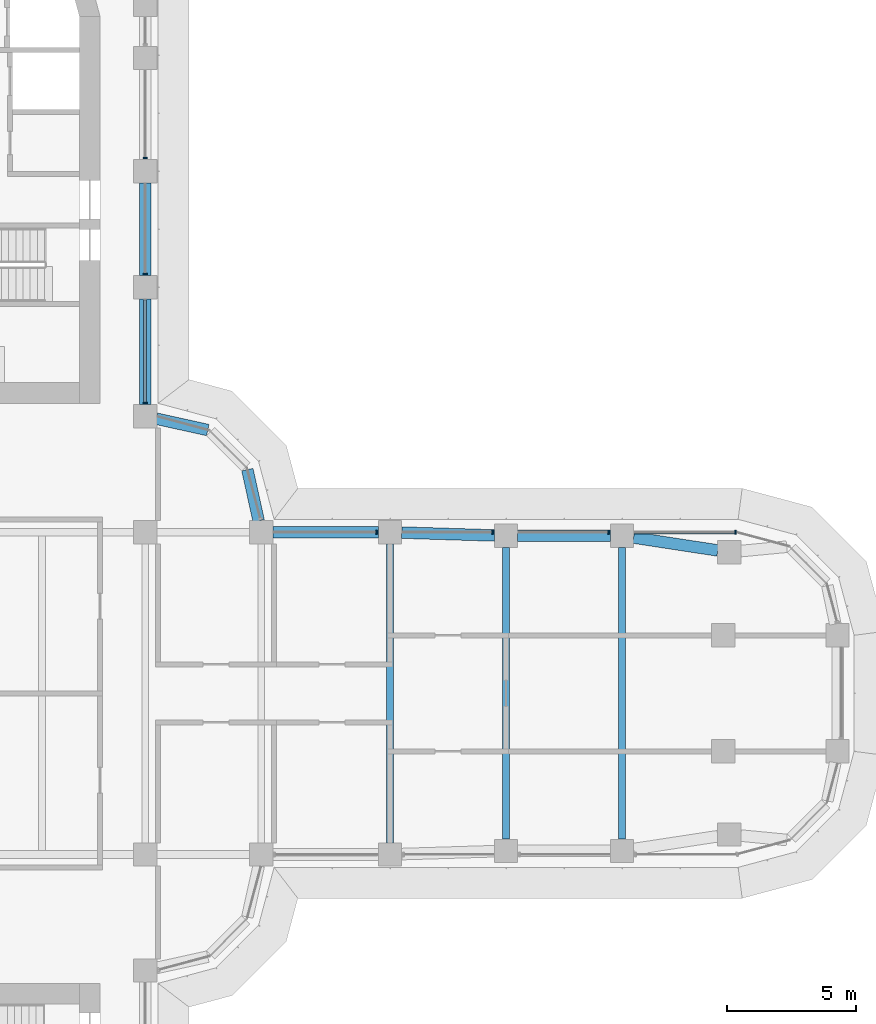
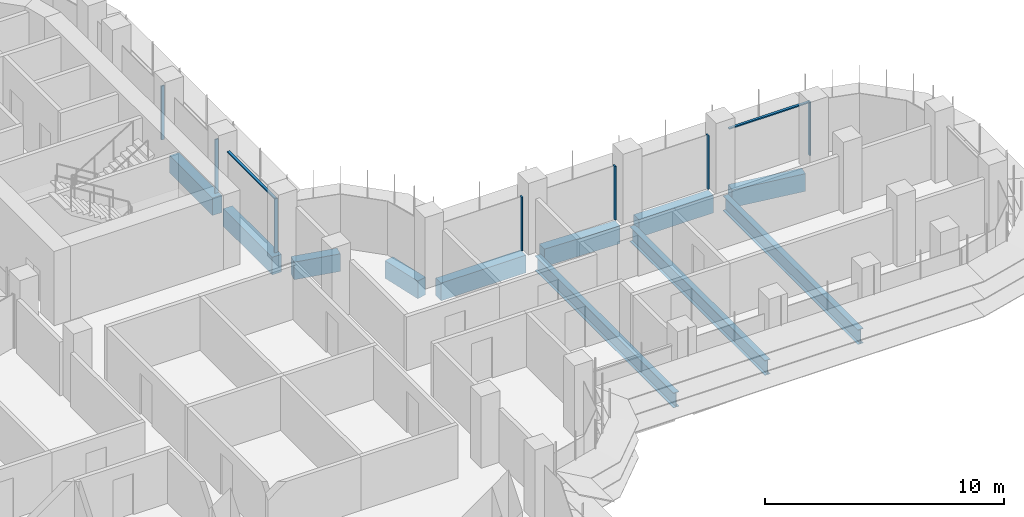
# One storey, part 8 of 22: 11 beams, 9 members, 2 elements without a shape of their own.
"""IFC4 building model written with IfcOpenShell, lengths in metres."""

from ifc_helpers import new_model, si_unit, direction, frame, origin, origin_2d, place, context, subcontext, project, spatial, polyline, rectangle, i_section, outline, extrude, source, transform, mapped, material, material_profile, profile_set, type_object, element, aggregate, save


model = new_model("IFC4")

# Units and contexts
model_context = context("Model", 3, precision=1e-05, world=origin(), true_north=direction((0.0, 1.0)))
body_context = subcontext(model_context, "Body", "Model", "MODEL_VIEW")
ifc_project = project(units=[si_unit("LENGTHUNIT", "METRE"), si_unit("AREAUNIT", "SQUARE_METRE"), si_unit("VOLUMEUNIT", "CUBIC_METRE"), si_unit("PLANEANGLEUNIT", "RADIAN"), si_unit("MASSUNIT", "GRAM", prefix="KILO")], contexts=[model_context])

# Site, building, storey
site_placement = place(None, origin())
site = spatial("IfcSite", under=ifc_project, at=site_placement, CompositionType="ELEMENT")
building_placement = place(site_placement, origin())
building = spatial("IfcBuilding", under=site, at=building_placement, Name="Zarbagh Exchange Tower", CompositionType="ELEMENT")
storey_placement = place(building_placement, frame((0.0, 0.0, 113.199951171875)))
storey = spatial("IfcBuildingStorey", under=building, at=storey_placement, Name="L26", CompositionType="ELEMENT", Elevation=113.199951171875)

# Beams
ifc_material_1 = material(Name="Steel ASTM A992 Gr 50", Category="steel")
ifc_material_profile_1 = material_profile(ifc_material_1, i_section(OverallWidth=0.2666015625, OverallDepth=0.7568359375, WebThickness=0.013916015625, FlangeThickness=0.019287109375, at=origin_2d()), Name="W30X108")
ifc_profile_set_1 = profile_set([ifc_material_profile_1], Name="Steel ASTM A992 Gr 50")
beam_type_1 = type_object("IfcBeamType", Name="Floor beam W30X108", PredefinedType="BEAM", material=ifc_profile_set_1)
beam_1_placement = place(storey_placement, frame((15.75, -5.800048828125, -0.5283203125), z_axis=(0.0, 1.0, 0.0), x_axis=(-1.0, 0.0, 0.0)))
element("IfcBeam", 1, at=beam_1_placement, inside=storey, type_object=beam_type_1, Name="Steel floor beam", PredefinedType="BEAM", context=body_context, shape_type="SweptSolid", body=[
    extrude(i_section(OverallWidth=0.2666015625, OverallDepth=0.7568359375, WebThickness=0.013916015625, FlangeThickness=0.019287109375, at=origin_2d()), origin(), (0.0, 0.0, 1.0), 11.60009765625),
])
for number, where, z_axis, x_axis, name in (
    (2, (20.25, -5.659912109375, -0.5283203125), (0.0, 1.0, 0.0), (-1.0, 0.0, 0.0), "Steel floor beam"),
    (3, (24.75, -5.659912109375, -0.5283203125), (0.0, 1.0, 0.0), (-1.0, 0.0, 0.0), "Steel floor beam"),
):
    element("IfcBeam", number, at=place(storey_placement, frame(where, z_axis=z_axis, x_axis=x_axis)), inside=storey, type_object=beam_type_1, Name=name, PredefinedType="BEAM", context=body_context, shape_type="SweptSolid", body=[
        extrude(i_section(OverallWidth=0.2666015625, OverallDepth=0.7568359375, WebThickness=0.013916015625, FlangeThickness=0.019287109375, at=origin_2d()), origin(), (0.0, 0.0, 1.0), 11.31982421875),
    ])
ifc_material_2 = material(Name="Concrete C60/75", Category="concrete")
ifc_material_profile_2 = material_profile(ifc_material_2, rectangle(XDim=0.449951171875, YDim=0.89990234375, at=origin_2d()), Name="RC spandrel beam 450 x 900 C60/75")
ifc_profile_set_2 = profile_set([ifc_material_profile_2], Name="Concrete C60/75")
beam_type_2 = type_object("IfcBeamType", Name="RC spandrel beam 450 x 900 C60/75", PredefinedType="SPANDREL", material=ifc_profile_set_2)
beam_2_placement = place(storey_placement, frame((6.25, 19.800048828125, -0.599853515625), z_axis=(0.0, -1.0, 0.0), x_axis=(1.0, 0.0, 0.0)))
element("IfcBeam", 4, at=beam_2_placement, inside=storey, type_object=beam_type_2, Name="RC spandrel beam", PredefinedType="SPANDREL", context=body_context, shape_type="SweptSolid", body=[
    extrude(rectangle(XDim=0.449951171875, YDim=0.89990234375, at=origin_2d()), origin(), (0.0, 0.0, 1.0), 3.60009765625),
])
beam_3_placement = place(storey_placement, frame((6.25, 15.300048828125, -0.599853515625), z_axis=(0.0, -1.0, 0.0), x_axis=(1.0, 0.0, 0.0)))
element("IfcBeam", 5, at=beam_3_placement, inside=storey, type_object=beam_type_2, Name="RC spandrel beam", PredefinedType="SPANDREL", context=body_context, shape_type="SweptSolid", body=[
    extrude(rectangle(XDim=0.449951171875, YDim=0.89990234375, at=origin_2d()), origin(), (0.0, 0.0, 1.0), 4.10009765625),
])
for number, where, z_axis, x_axis, name in (
    (6, (6.689453125, 10.65283203125, -0.599853515625), (0.976367325525, -0.216117666208, 0.0), (0.216117666208, 0.976367325525, 0.0), "RC spandrel beam"),
    (7, (10.212890625, 8.677001953125, -0.599853515625), (0.216117666208, -0.976367325525, 0.0), (0.976367325525, 0.216117666208, 0.0), "RC spandrel beam"),
):
    element("IfcBeam", number, at=place(storey_placement, frame(where, z_axis=z_axis, x_axis=x_axis)), inside=storey, type_object=beam_type_2, Name=name, PredefinedType="SPANDREL", context=body_context, shape_type="SweptSolid", body=[
        extrude(rectangle(XDim=0.449951171875, YDim=0.89990234375, at=origin_2d()), origin(), (0.0, 0.0, 1.0), 2.03564453125),
    ])
beam_4_placement = place(storey_placement, frame((11.199951171875, 6.25, -0.599853515625), z_axis=(1.0, 0.0, 0.0), x_axis=(0.0, 1.0, 0.0)))
element("IfcBeam", 8, at=beam_4_placement, inside=storey, type_object=beam_type_2, Name="RC spandrel beam", PredefinedType="SPANDREL", context=body_context, shape_type="SweptSolid", body=[
    extrude(rectangle(XDim=0.449951171875, YDim=0.89990234375, at=origin_2d()), origin(), (0.0, 0.0, 1.0), 4.10009765625),
])
beam_5_placement = place(storey_placement, frame((16.19970703125, 6.236083984375, -0.599853515625), z_axis=(0.999516035224, -0.031107801747, 0.0), x_axis=(0.031107801747, 0.999516035224, 0.0)))
element("IfcBeam", 9, at=beam_5_placement, inside=storey, type_object=beam_type_2, Name="RC spandrel beam", PredefinedType="SPANDREL", context=body_context, shape_type="SweptSolid", body=[
    extrude(rectangle(XDim=0.449951171875, YDim=0.89990234375, at=origin_2d()), origin(), (0.0, 0.0, 1.0), 3.602294921875),
])
beam_6_placement = place(storey_placement, frame((20.699951171875, 6.110107421875, -0.599853515625), z_axis=(1.0, 0.0, 0.0), x_axis=(0.0, 1.0, 0.0)))
element("IfcBeam", 10, at=beam_6_placement, inside=storey, type_object=beam_type_2, Name="RC spandrel beam", PredefinedType="SPANDREL", context=body_context, shape_type="SweptSolid", body=[
    extrude(rectangle(XDim=0.449951171875, YDim=0.89990234375, at=origin_2d()), origin(), (0.0, 0.0, 1.0), 3.60009765625),
])
beam_7_placement = place(storey_placement, frame((25.19482421875, 6.0419921875, -0.599853515625), z_axis=(0.988543505948, -0.150936201252, 0.0), x_axis=(0.150936201252, 0.988543505948, 0.0)))
element("IfcBeam", 11, at=beam_7_placement, inside=storey, type_object=beam_type_2, Name="RC spandrel beam", PredefinedType="SPANDREL", context=body_context, shape_type="SweptSolid", body=[
    extrude(rectangle(XDim=0.449951171875, YDim=0.89990234375, at=origin_2d()), origin(), (0.0, 0.0, 1.0), 3.30615234375),
])

# Curtain wall, members
ifc_material_3 = material(Name="Anodised aluminium frame and glazing", Category="aluminium")
curtain_wall_type = type_object("IfcCurtainWallType", Name="CWA Ribbon glazing, lower zones", PredefinedType="NOTDEFINED", material=ifc_material_3)
curtain_wall_1_placement = place(storey_placement, origin())
curtain_wall_1 = element("IfcCurtainWall", 12, at=curtain_wall_1_placement, inside=storey, type_object=curtain_wall_type, Name="CWA16 curtain wall", PredefinedType="NOTDEFINED")
ifc_material_4 = material(Name="Anodised aluminium frame", Category="aluminium")
member_type_1 = type_object("IfcMemberType", Name="MUA Mullion, anodised aluminium frame", PredefinedType="MULLION", material=ifc_material_4)
shared_shape_1 = source(origin(), body_context, "Body", "SweptSolid", [
    extrude(outline(polyline([(0.0, -0.080078125), (0.06005859375, -0.080078125), (0.06005859375, 0.080078125), (0.0, 0.080078125), (0.0, -0.080078125)])), origin(), (0.0, 0.0, 1.0), 2.75),
])
placement = place(storey_placement, origin())
member_1 = element("IfcMember", 13, at=placement, type_object=member_type_1, Name="CWA16 mullion 1.1", PredefinedType="MULLION", context=body_context, shape_type="MappedRepresentation", body=[
    mapped(shared_shape_1, transform((29.18408203125, 6.25, 0.0), x_axis=(-1.0, 0.0, 0.0), y_axis=(0.0, -1.0, 0.0), z_axis=(0.0, 0.0, 1.0))),
])
member_2 = element("IfcMember", 14, at=placement, type_object=member_type_1, Name="CWA16 mullion 2.1", PredefinedType="MULLION", context=body_context, shape_type="MappedRepresentation", body=[
    mapped(shared_shape_1, transform((24.260009765625, 6.25, 0.0), x_axis=(-1.0, 0.0, 0.0), y_axis=(0.0, -1.0, 0.0), z_axis=(0.0, 0.0, 1.0))),
])
member_3 = element("IfcMember", 15, at=placement, type_object=member_type_1, Name="CWA16 mullion 3.1", PredefinedType="MULLION", context=body_context, shape_type="MappedRepresentation", body=[
    mapped(shared_shape_1, transform((19.760009765625, 6.25, 0.0), x_axis=(-1.0, 0.0, 0.0), y_axis=(0.0, -1.0, 0.0), z_axis=(0.0, 0.0, 1.0))),
])
member_4 = element("IfcMember", 16, at=placement, type_object=member_type_1, Name="CWA16 mullion 4.1", PredefinedType="MULLION", context=body_context, shape_type="MappedRepresentation", body=[
    mapped(shared_shape_1, transform((15.260009765625, 6.25, 0.0), x_axis=(-1.0, 0.0, 0.0), y_axis=(0.0, -1.0, 0.0), z_axis=(0.0, 0.0, 1.0))),
])

curtain_wall_2_placement = place(storey_placement, origin())
curtain_wall_2 = element("IfcCurtainWall", 17, at=curtain_wall_2_placement, inside=storey, type_object=curtain_wall_type, Name="CWA49 curtain wall", PredefinedType="NOTDEFINED")
member_5 = element("IfcMember", 18, at=placement, type_object=member_type_1, Name="CWA49 mullion 1.1", PredefinedType="MULLION", context=body_context, shape_type="MappedRepresentation", body=[
    mapped(shared_shape_1, transform((6.25, 11.239990234375, 0.0), x_axis=(0.0, 1.0, 0.0), y_axis=(-1.0, 0.0, 0.0), z_axis=(0.0, 0.0, 1.0))),
])
member_6 = element("IfcMember", 19, at=placement, type_object=member_type_1, Name="CWA49 mullion 2.1", PredefinedType="MULLION", context=body_context, shape_type="MappedRepresentation", body=[
    mapped(shared_shape_1, transform((6.25, 16.239990234375, 0.0), x_axis=(0.0, 1.0, 0.0), y_axis=(-1.0, 0.0, 0.0), z_axis=(0.0, 0.0, 1.0))),
])
member_7 = element("IfcMember", 20, at=placement, type_object=member_type_1, Name="CWA49 mullion 3.1", PredefinedType="MULLION", context=body_context, shape_type="MappedRepresentation", body=[
    mapped(shared_shape_1, transform((6.25, 20.739990234375, 0.0), x_axis=(0.0, 1.0, 0.0), y_axis=(-1.0, 0.0, 0.0), z_axis=(0.0, 0.0, 1.0))),
])
member_type_2 = type_object("IfcMemberType", Name="TRA Transom, anodised aluminium frame", PredefinedType="USERDEFINED", material=ifc_material_4)
shared_shape_2 = source(origin(), body_context, "Body", "SweptSolid", [
    extrude(outline(polyline([(-0.06005859375, -0.06005859375), (0.0, -0.06005859375), (0.0, 0.06005859375), (-0.06005859375, 0.06005859375), (-0.06005859375, -0.06005859375)])), origin(), (0.0, 0.0, 1.0), 3.9599609375),
])
member_8 = element("IfcMember", 21, at=placement, type_object=member_type_2, Name="CWA49 transom 1.1", ObjectType="TRANSOM", PredefinedType="USERDEFINED", context=body_context, shape_type="MappedRepresentation", body=[
    mapped(shared_shape_2, transform((6.25, 11.300048828125, 2.75), x_axis=(0.0, 0.0, 1.0), y_axis=(1.0, 0.0, 0.0), z_axis=(0.0, 1.0, 0.0))),
])
aggregate(curtain_wall_2, [member_5, member_8, member_6, member_7])

# Member
shared_shape_3 = source(origin(), body_context, "Body", "SweptSolid", [
    extrude(outline(polyline([(-0.06005859375, -0.06005859375), (0.0, -0.06005859375), (0.0, 0.06005859375), (-0.06005859375, 0.06005859375), (-0.06005859375, -0.06005859375)])), origin(), (0.0, 0.0, 1.0), 3.88427734375),
])
member_9 = element("IfcMember", 22, at=placement, type_object=member_type_2, Name="CWA16 transom 1.1", ObjectType="TRANSOM", PredefinedType="USERDEFINED", context=body_context, shape_type="MappedRepresentation", body=[
    mapped(shared_shape_3, transform((29.124267578125, 6.25, 2.75), x_axis=(0.0, 0.0, 1.0), y_axis=(0.0, 1.0, 0.0), z_axis=(-1.0, 0.0, 0.0))),
])

aggregate(curtain_wall_1, [member_1, member_9, member_2, member_3, member_4])

save(model, "model.ifc")
